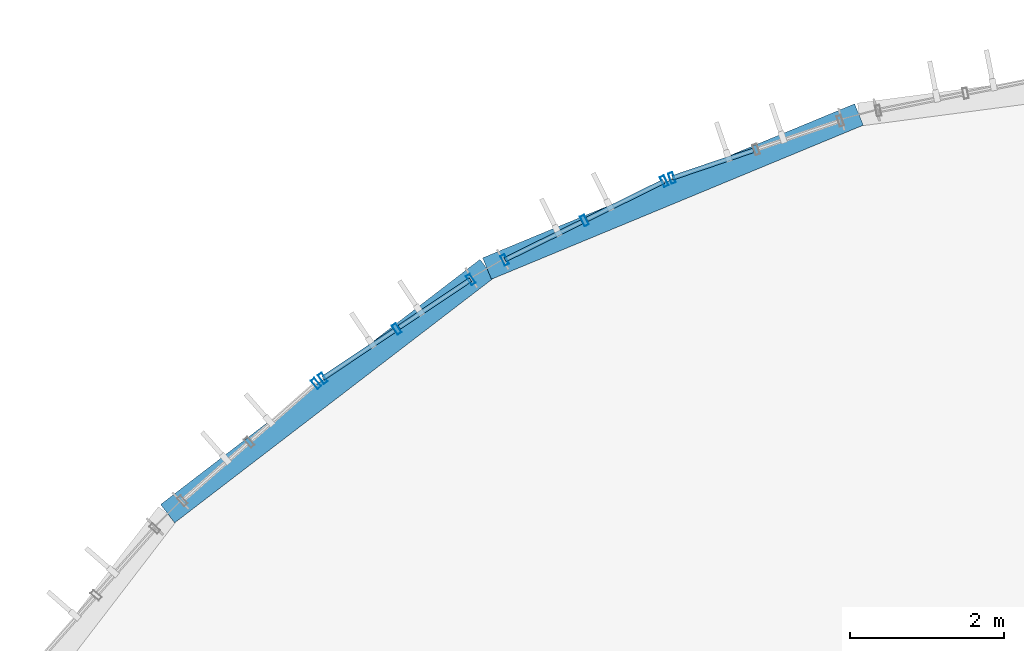
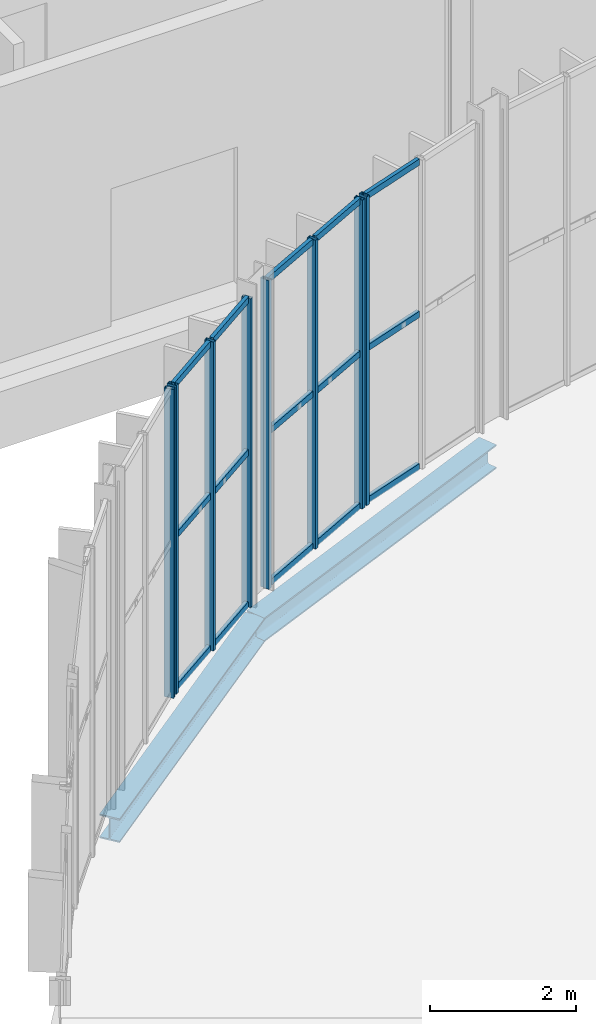
# One storey, part 57 of 158: 23 members, 2 beams, 4 elements without a shape of their own.
"""IFC4 building model written with IfcOpenShell, lengths in metres."""

from ifc_helpers import new_model, si_unit, derived_unit, direction, frame, origin, origin_2d, place, context, subcontext, project, spatial, hollow_rectangle, i_section, extrude, material, material_profile, profile_set, type_object, element, aggregate, save


model = new_model("IFC4")

# Units and contexts
model_context = context("Model", 3, precision=1e-05, world=origin(), true_north=direction((0.0, 1.0)))
body_context = subcontext(model_context, "Body", "Model", "MODEL_VIEW")
ifc_project = project(units=[si_unit("LENGTHUNIT", "METRE"), si_unit("AREAUNIT", "SQUARE_METRE"), si_unit("VOLUMEUNIT", "CUBIC_METRE"), si_unit("PLANEANGLEUNIT", "RADIAN"), si_unit("MASSUNIT", "GRAM", prefix="KILO"), si_unit("THERMODYNAMICTEMPERATUREUNIT", "KELVIN"), si_unit("TIMEUNIT", "SECOND"), derived_unit("THERMALTRANSMITTANCEUNIT", [(si_unit("MASSUNIT", "GRAM", prefix="KILO"), 1), (si_unit("THERMODYNAMICTEMPERATUREUNIT", "KELVIN"), -1), (si_unit("TIMEUNIT", "SECOND"), -3)])], contexts=[model_context])

# Site, building, storey
site_placement = place(None, origin())
site = spatial("IfcSite", under=ifc_project, at=site_placement, CompositionType="ELEMENT")
building_placement = place(site_placement, origin())
building = spatial("IfcBuilding", under=site, at=building_placement, Name="Cambertide Market Hall", CompositionType="ELEMENT")
storey_placement = place(building_placement, origin())
storey = spatial("IfcBuildingStorey", under=building, at=storey_placement, Name="L01", CompositionType="ELEMENT", Elevation=0.0)

# Curtain wall, member
ifc_material_1 = material(Name="Marine Anodized Aluminium 6063-T6 AA25", Category="aluminium")
curtain_wall_type = type_object("IfcCurtainWallType", Name="Lantern Apse Chord Lower Curtain Wall", PredefinedType="USERDEFINED", material=ifc_material_1)
curtain_wall_1_placement = place(storey_placement, origin())
curtain_wall_1 = element("IfcCurtainWall", 1, at=curtain_wall_1_placement, inside=storey, type_object=curtain_wall_type, Name="Level 1 Curtain Wall CW-V1AW-L01-03", ObjectType="UNITIZED CURTAIN WALL", PredefinedType="USERDEFINED")
ifc_material_2 = material(Name="Champagne Marine Anodized Aluminium 6063-T6 AA25", Category="aluminium")
ifc_material_profile_1 = material_profile(ifc_material_2, hollow_rectangle(XDim=0.06005859375, YDim=0.139892578125, WallThickness=0.00341796875, at=origin_2d()), Name="ALU MULLION 60x140")
ifc_profile_set_1 = profile_set([ifc_material_profile_1], Name="Champagne Marine Anodized Aluminium 6063-T6 AA25")
member_type_1 = type_object("IfcMemberType", Name="Curtain Wall Mullion ALU MULLION 60x140", PredefinedType="MULLION", material=ifc_profile_set_1)
member_1_placement = place(storey_placement, frame((34.3984375, 90.495361328125, 0.0), z_axis=(0.0, 0.0, 1.0), x_axis=(0.94693012508, 0.32143947831, 0.0)))
member_1 = element("IfcMember", 2, at=member_1_placement, type_object=member_type_1, Name="CW-V1AW-L01-03 Mullion 1", PredefinedType="MULLION", context=body_context, shape_type="SweptSolid", body=[
    extrude(hollow_rectangle(XDim=0.06005859375, YDim=0.139892578125, WallThickness=0.00341796875, at=origin_2d()), origin(), (0.0, 0.0, 1.0), 5.159912109375),
])

# Curtain wall, members
curtain_wall_2_placement = place(storey_placement, origin())
curtain_wall_2 = element("IfcCurtainWall", 3, at=curtain_wall_2_placement, inside=storey, type_object=curtain_wall_type, Name="Level 1 Curtain Wall CW-V1AW-L01-04", ObjectType="UNITIZED CURTAIN WALL", PredefinedType="USERDEFINED")
member_2_placement = place(storey_placement, frame((32.228759765625, 89.433349609375, 0.0), z_axis=(0.0, 0.0, 1.0), x_axis=(0.896872650645, 0.442288874522, 0.0)))
member_2 = element("IfcMember", 4, at=member_2_placement, type_object=member_type_1, Name="CW-V1AW-L01-04 Mullion 1", PredefinedType="MULLION", context=body_context, shape_type="SweptSolid", body=[
    extrude(hollow_rectangle(XDim=0.06005859375, YDim=0.139892578125, WallThickness=0.00341796875, at=origin_2d()), origin(), (0.0, 0.0, 1.0), 5.159912109375),
])
member_3_placement = place(storey_placement, frame((33.262939453125, 89.943359375, 0.0), z_axis=(0.0, 0.0, 1.0), x_axis=(0.896872650645, 0.442288874522, 0.0)))
member_3 = element("IfcMember", 5, at=member_3_placement, type_object=member_type_1, Name="CW-V1AW-L01-04 Mullion 2", PredefinedType="MULLION", context=body_context, shape_type="SweptSolid", body=[
    extrude(hollow_rectangle(XDim=0.06005859375, YDim=0.139892578125, WallThickness=0.00341796875, at=origin_2d()), origin(), (0.0, 0.0, 1.0), 5.159912109375),
])
member_4_placement = place(storey_placement, frame((34.297119140625, 90.453369140625, 0.0), z_axis=(0.0, 0.0, 1.0), x_axis=(0.896872650645, 0.442288874522, 0.0)))
member_4 = element("IfcMember", 6, at=member_4_placement, type_object=member_type_1, Name="CW-V1AW-L01-04 Mullion 3", PredefinedType="MULLION", context=body_context, shape_type="SweptSolid", body=[
    extrude(hollow_rectangle(XDim=0.06005859375, YDim=0.139892578125, WallThickness=0.00341796875, at=origin_2d()), origin(), (0.0, 0.0, 1.0), 5.159912109375),
])

curtain_wall_3_placement = place(storey_placement, origin())
curtain_wall_3 = element("IfcCurtainWall", 7, at=curtain_wall_3_placement, inside=storey, type_object=curtain_wall_type, Name="Level 1 Curtain Wall CW-V1AW-L01-05", ObjectType="UNITIZED CURTAIN WALL", PredefinedType="USERDEFINED")
member_5_placement = place(storey_placement, frame((29.87060546875, 87.897705078125, 0.0), z_axis=(0.0, 0.0, 1.0), x_axis=(0.831469709481, 0.555570087582, 0.0)))
member_5 = element("IfcMember", 8, at=member_5_placement, type_object=member_type_1, Name="CW-V1AW-L01-05 Mullion 1", PredefinedType="MULLION", context=body_context, shape_type="SweptSolid", body=[
    extrude(hollow_rectangle(XDim=0.06005859375, YDim=0.139892578125, WallThickness=0.00341796875, at=origin_2d()), origin(), (0.0, 0.0, 1.0), 5.159912109375),
])
member_6_placement = place(storey_placement, frame((30.829345703125, 88.538330078125, 0.0), z_axis=(0.0, 0.0, 1.0), x_axis=(0.831469709481, 0.555570087582, 0.0)))
member_6 = element("IfcMember", 9, at=member_6_placement, type_object=member_type_1, Name="CW-V1AW-L01-05 Mullion 2", PredefinedType="MULLION", context=body_context, shape_type="SweptSolid", body=[
    extrude(hollow_rectangle(XDim=0.06005859375, YDim=0.139892578125, WallThickness=0.00341796875, at=origin_2d()), origin(), (0.0, 0.0, 1.0), 5.159912109375),
])
member_7_placement = place(storey_placement, frame((31.7880859375, 89.178955078125, 0.0), z_axis=(0.0, 0.0, 1.0), x_axis=(0.831469709481, 0.555570087582, 0.0)))
member_7 = element("IfcMember", 10, at=member_7_placement, type_object=member_type_1, Name="CW-V1AW-L01-05 Mullion 3", PredefinedType="MULLION", context=body_context, shape_type="SweptSolid", body=[
    extrude(hollow_rectangle(XDim=0.06005859375, YDim=0.139892578125, WallThickness=0.00341796875, at=origin_2d()), origin(), (0.0, 0.0, 1.0), 5.159912109375),
])

# Curtain wall, member
curtain_wall_4_placement = place(storey_placement, origin())
curtain_wall_4 = element("IfcCurtainWall", 11, at=curtain_wall_4_placement, inside=storey, type_object=curtain_wall_type, Name="Level 1 Curtain Wall CW-V1AW-L01-06", ObjectType="UNITIZED CURTAIN WALL", PredefinedType="USERDEFINED")
member_8_placement = place(storey_placement, frame((29.783447265625, 87.830810546875, 0.0), z_axis=(0.0, 0.0, 1.0), x_axis=(0.751839834741, 0.659345784014, 0.0)))
member_8 = element("IfcMember", 12, at=member_8_placement, type_object=member_type_1, Name="CW-V1AW-L01-06 Mullion 3", PredefinedType="MULLION", context=body_context, shape_type="SweptSolid", body=[
    extrude(hollow_rectangle(XDim=0.06005859375, YDim=0.139892578125, WallThickness=0.00341796875, at=origin_2d()), origin(), (0.0, 0.0, 1.0), 5.159912109375),
])
aggregate(curtain_wall_4, [member_8])

# Member
ifc_material_3 = material(Name="Champagne Marine Anodized Aluminium 6063-T6 AA25", Category="aluminium")
ifc_material_profile_2 = material_profile(ifc_material_3, hollow_rectangle(XDim=0.06005859375, YDim=0.10498046875, WallThickness=0.0029296875, at=origin_2d()), Name="ALU TRANSOM 60x105")
ifc_profile_set_2 = profile_set([ifc_material_profile_2], Name="Champagne Marine Anodized Aluminium 6063-T6 AA25")
member_type_2 = type_object("IfcMemberType", Name="Curtain Wall Transom ALU TRANSOM 60x105", PredefinedType="USERDEFINED", material=ifc_profile_set_2)
member_9_placement = place(storey_placement, frame((34.403076171875, 90.496826171875, 0.034912109375), z_axis=(0.946928413037, 0.321444521782, 0.0), x_axis=(-0.321444521782, 0.946928413037, 0.0)))
member_9 = element("IfcMember", 13, at=member_9_placement, type_object=member_type_2, Name="CW-V1AW-L01-03 Transom 1-1", ObjectType="TRANSOM", PredefinedType="USERDEFINED", context=body_context, shape_type="SweptSolid", body=[
    extrude(hollow_rectangle(XDim=0.06005859375, YDim=0.10498046875, WallThickness=0.0029296875, at=origin_2d()), origin(), (0.0, 0.0, 1.0), 1.108154296875),
])

member_10_placement = place(storey_placement, frame((34.403076171875, 90.496826171875, 2.580078125), z_axis=(0.946928413037, 0.321444521782, 0.0), x_axis=(-0.321444521782, 0.946928413037, 0.0)))
member_10 = element("IfcMember", 14, at=member_10_placement, type_object=member_type_2, Name="CW-V1AW-L01-03 Transom 2-1", ObjectType="TRANSOM", PredefinedType="USERDEFINED", context=body_context, shape_type="SweptSolid", body=[
    extrude(hollow_rectangle(XDim=0.06005859375, YDim=0.10498046875, WallThickness=0.0029296875, at=origin_2d()), origin(), (0.0, 0.0, 1.0), 1.108154296875),
])

member_11_placement = place(storey_placement, frame((34.403076171875, 90.496826171875, 5.125), z_axis=(0.946928413037, 0.321444521782, 0.0), x_axis=(-0.321444521782, 0.946928413037, 0.0)))
member_11 = element("IfcMember", 15, at=member_11_placement, type_object=member_type_2, Name="CW-V1AW-L01-03 Transom 3-1", ObjectType="TRANSOM", PredefinedType="USERDEFINED", context=body_context, shape_type="SweptSolid", body=[
    extrude(hollow_rectangle(XDim=0.06005859375, YDim=0.10498046875, WallThickness=0.0029296875, at=origin_2d()), origin(), (0.0, 0.0, 1.0), 1.108154296875),
])

aggregate(curtain_wall_1, [member_1, member_9, member_10, member_11])

member_12_placement = place(storey_placement, frame((32.233154296875, 89.435546875, 0.034912109375), z_axis=(0.896924738521, 0.442183235129, 0.0), x_axis=(-0.442183235129, 0.896924738521, 0.0)))
member_12 = element("IfcMember", 16, at=member_12_placement, type_object=member_type_2, Name="CW-V1AW-L01-04 Transom 1-1", ObjectType="TRANSOM", PredefinedType="USERDEFINED", context=body_context, shape_type="SweptSolid", body=[
    extrude(hollow_rectangle(XDim=0.06005859375, YDim=0.10498046875, WallThickness=0.0029296875, at=origin_2d()), origin(), (0.0, 0.0, 1.0), 1.108154296875),
])

member_13_placement = place(storey_placement, frame((33.298828125, 89.9609375, 0.034912109375), z_axis=(0.896794227794, 0.44244786472, 0.0), x_axis=(-0.44244786472, 0.896794227794, 0.0)))
member_13 = element("IfcMember", 17, at=member_13_placement, type_object=member_type_2, Name="CW-V1AW-L01-04 Transom 1-2", ObjectType="TRANSOM", PredefinedType="USERDEFINED", context=body_context, shape_type="SweptSolid", body=[
    extrude(hollow_rectangle(XDim=0.06005859375, YDim=0.10498046875, WallThickness=0.0029296875, at=origin_2d()), origin(), (0.0, 0.0, 1.0), 1.10791015625),
])

member_14_placement = place(storey_placement, frame((32.233154296875, 89.435546875, 2.580078125), z_axis=(0.896924738521, 0.442183235129, 0.0), x_axis=(-0.442183235129, 0.896924738521, 0.0)))
member_14 = element("IfcMember", 18, at=member_14_placement, type_object=member_type_2, Name="CW-V1AW-L01-04 Transom 2-1", ObjectType="TRANSOM", PredefinedType="USERDEFINED", context=body_context, shape_type="SweptSolid", body=[
    extrude(hollow_rectangle(XDim=0.06005859375, YDim=0.10498046875, WallThickness=0.0029296875, at=origin_2d()), origin(), (0.0, 0.0, 1.0), 1.108154296875),
])

member_15_placement = place(storey_placement, frame((33.298828125, 89.9609375, 2.580078125), z_axis=(0.896794227794, 0.44244786472, 0.0), x_axis=(-0.44244786472, 0.896794227794, 0.0)))
member_15 = element("IfcMember", 19, at=member_15_placement, type_object=member_type_2, Name="CW-V1AW-L01-04 Transom 2-2", ObjectType="TRANSOM", PredefinedType="USERDEFINED", context=body_context, shape_type="SweptSolid", body=[
    extrude(hollow_rectangle(XDim=0.06005859375, YDim=0.10498046875, WallThickness=0.0029296875, at=origin_2d()), origin(), (0.0, 0.0, 1.0), 1.10791015625),
])

member_16_placement = place(storey_placement, frame((32.233154296875, 89.435546875, 5.125), z_axis=(0.896924738521, 0.442183235129, 0.0), x_axis=(-0.442183235129, 0.896924738521, 0.0)))
member_16 = element("IfcMember", 20, at=member_16_placement, type_object=member_type_2, Name="CW-V1AW-L01-04 Transom 3-1", ObjectType="TRANSOM", PredefinedType="USERDEFINED", context=body_context, shape_type="SweptSolid", body=[
    extrude(hollow_rectangle(XDim=0.06005859375, YDim=0.10498046875, WallThickness=0.0029296875, at=origin_2d()), origin(), (0.0, 0.0, 1.0), 1.108154296875),
])

member_17_placement = place(storey_placement, frame((33.298828125, 89.9609375, 5.125), z_axis=(0.896794227794, 0.44244786472, 0.0), x_axis=(-0.44244786472, 0.896794227794, 0.0)))
member_17 = element("IfcMember", 21, at=member_17_placement, type_object=member_type_2, Name="CW-V1AW-L01-04 Transom 3-2", ObjectType="TRANSOM", PredefinedType="USERDEFINED", context=body_context, shape_type="SweptSolid", body=[
    extrude(hollow_rectangle(XDim=0.06005859375, YDim=0.10498046875, WallThickness=0.0029296875, at=origin_2d()), origin(), (0.0, 0.0, 1.0), 1.10791015625),
])

aggregate(curtain_wall_2, [member_2, member_3, member_4, member_12, member_13, member_14, member_15, member_16, member_17])

member_18_placement = place(storey_placement, frame((29.874755859375, 87.900390625, 0.034912109375), z_axis=(0.831371680054, 0.55571677103, 0.0), x_axis=(-0.55571677103, 0.831371680054, 0.0)))
member_18 = element("IfcMember", 22, at=member_18_placement, type_object=member_type_2, Name="CW-V1AW-L01-05 Transom 1-1", ObjectType="TRANSOM", PredefinedType="USERDEFINED", context=body_context, shape_type="SweptSolid", body=[
    extrude(hollow_rectangle(XDim=0.06005859375, YDim=0.10498046875, WallThickness=0.0029296875, at=origin_2d()), origin(), (0.0, 0.0, 1.0), 1.10791015625),
])

member_19_placement = place(storey_placement, frame((30.862548828125, 88.560546875, 0.034912109375), z_axis=(0.83154148111, 0.555462658685, 0.0), x_axis=(-0.555462658685, 0.83154148111, 0.0)))
member_19 = element("IfcMember", 23, at=member_19_placement, type_object=member_type_2, Name="CW-V1AW-L01-05 Transom 1-2", ObjectType="TRANSOM", PredefinedType="USERDEFINED", context=body_context, shape_type="SweptSolid", body=[
    extrude(hollow_rectangle(XDim=0.06005859375, YDim=0.10498046875, WallThickness=0.0029296875, at=origin_2d()), origin(), (0.0, 0.0, 1.0), 1.108154296875),
])

member_20_placement = place(storey_placement, frame((29.874755859375, 87.900390625, 2.580078125), z_axis=(0.831371680054, 0.55571677103, 0.0), x_axis=(-0.55571677103, 0.831371680054, 0.0)))
member_20 = element("IfcMember", 24, at=member_20_placement, type_object=member_type_2, Name="CW-V1AW-L01-05 Transom 2-1", ObjectType="TRANSOM", PredefinedType="USERDEFINED", context=body_context, shape_type="SweptSolid", body=[
    extrude(hollow_rectangle(XDim=0.06005859375, YDim=0.10498046875, WallThickness=0.0029296875, at=origin_2d()), origin(), (0.0, 0.0, 1.0), 1.10791015625),
])

member_21_placement = place(storey_placement, frame((30.862548828125, 88.560546875, 2.580078125), z_axis=(0.83154148111, 0.555462658685, 0.0), x_axis=(-0.555462658685, 0.83154148111, 0.0)))
member_21 = element("IfcMember", 25, at=member_21_placement, type_object=member_type_2, Name="CW-V1AW-L01-05 Transom 2-2", ObjectType="TRANSOM", PredefinedType="USERDEFINED", context=body_context, shape_type="SweptSolid", body=[
    extrude(hollow_rectangle(XDim=0.06005859375, YDim=0.10498046875, WallThickness=0.0029296875, at=origin_2d()), origin(), (0.0, 0.0, 1.0), 1.108154296875),
])

member_22_placement = place(storey_placement, frame((29.874755859375, 87.900390625, 5.125), z_axis=(0.831371680054, 0.55571677103, 0.0), x_axis=(-0.55571677103, 0.831371680054, 0.0)))
member_22 = element("IfcMember", 26, at=member_22_placement, type_object=member_type_2, Name="CW-V1AW-L01-05 Transom 3-1", ObjectType="TRANSOM", PredefinedType="USERDEFINED", context=body_context, shape_type="SweptSolid", body=[
    extrude(hollow_rectangle(XDim=0.06005859375, YDim=0.10498046875, WallThickness=0.0029296875, at=origin_2d()), origin(), (0.0, 0.0, 1.0), 1.10791015625),
])

member_23_placement = place(storey_placement, frame((30.862548828125, 88.560546875, 5.125), z_axis=(0.83154148111, 0.555462658685, 0.0), x_axis=(-0.555462658685, 0.83154148111, 0.0)))
member_23 = element("IfcMember", 27, at=member_23_placement, type_object=member_type_2, Name="CW-V1AW-L01-05 Transom 3-2", ObjectType="TRANSOM", PredefinedType="USERDEFINED", context=body_context, shape_type="SweptSolid", body=[
    extrude(hollow_rectangle(XDim=0.06005859375, YDim=0.10498046875, WallThickness=0.0029296875, at=origin_2d()), origin(), (0.0, 0.0, 1.0), 1.108154296875),
])

aggregate(curtain_wall_3, [member_5, member_6, member_7, member_18, member_19, member_20, member_21, member_22, member_23])

# Beams
ifc_material_4 = material(Name="Steel S355", Category="steel")
ifc_material_profile_3 = material_profile(ifc_material_4, i_section(OverallWidth=0.300048828125, OverallDepth=0.39990234375, WebThickness=0.013427734375, FlangeThickness=0.02392578125, FilletRadius=0.027099609375, at=origin_2d()), Name="HEB 400")
ifc_profile_set_3 = profile_set([ifc_material_profile_3], Name="Steel S355")
beam_type = type_object("IfcBeamType", Name="Steel Girder HEB 400", PredefinedType="BEAM", material=ifc_profile_set_3)
beam_1_placement = place(storey_placement, frame((36.82373046875, 91.318603515625, -0.510009765625), z_axis=(-0.923880054352, -0.382682172528, 0.0), x_axis=(0.382682172528, -0.923880054352, 0.0)))
element("IfcBeam", 28, at=beam_1_placement, inside=storey, type_object=beam_type, Name="Level 1 Beam BM-V1AW-L01-2", PredefinedType="BEAM", context=body_context, shape_type="SweptSolid", body=[
    extrude(i_section(OverallWidth=0.300048828125, OverallDepth=0.39990234375, WebThickness=0.013427734375, FlangeThickness=0.02392578125, FilletRadius=0.027099609375, at=origin_2d()), origin(), (0.0, 0.0, 1.0), 5.22119140625),
])
beam_2_placement = place(storey_placement, frame((32.0, 89.320556640625, -0.510009765625), z_axis=(-0.793341363525, -0.608777037117, 0.0), x_axis=(0.608777037117, -0.793341363525, 0.0)))
element("IfcBeam", 29, at=beam_2_placement, inside=storey, type_object=beam_type, Name="Level 1 Beam BM-V1AW-L01-3", PredefinedType="BEAM", context=body_context, shape_type="SweptSolid", body=[
    extrude(i_section(OverallWidth=0.300048828125, OverallDepth=0.39990234375, WebThickness=0.013427734375, FlangeThickness=0.02392578125, FilletRadius=0.027099609375, at=origin_2d()), origin(), (0.0, 0.0, 1.0), 5.220947265625),
])

save(model, "model.ifc")
